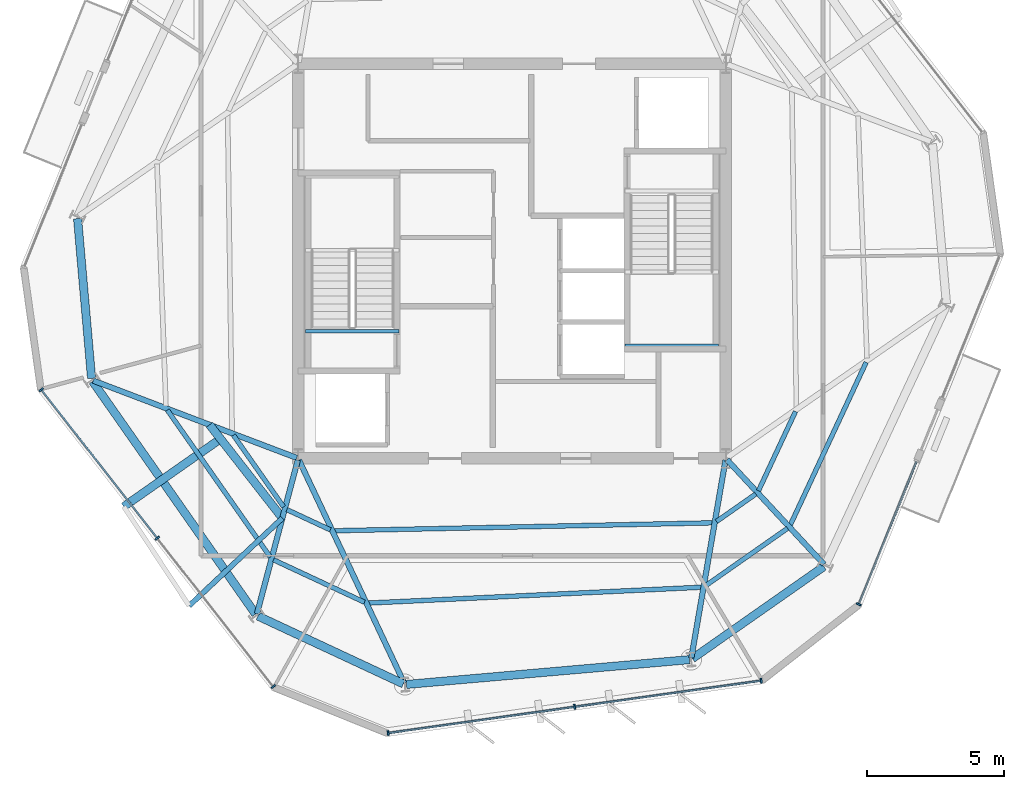
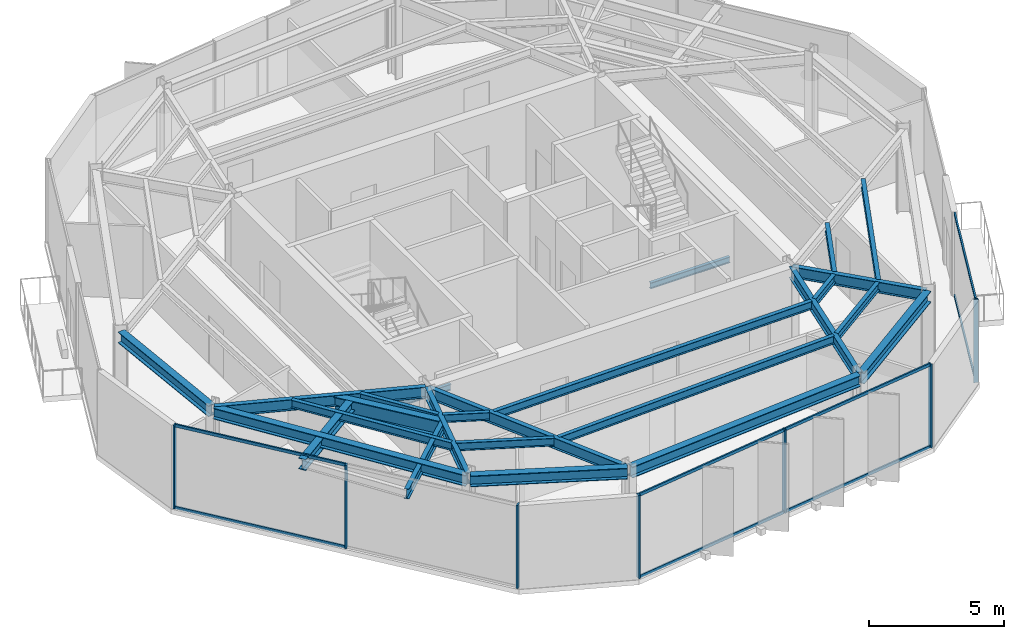
# One storey, part 2 of 11: 25 beams, 15 members, 3 elements without a shape of their own.
"""IFC4 building model written with IfcOpenShell, lengths in metres."""

from ifc_helpers import new_model, si_unit, direction, frame, origin, origin_2d, place, context, subcontext, project, spatial, rectangle, i_section, extrude, material, layer, layer_set, material_profile, profile_set, type_object, element, aggregate, save


model = new_model("IFC4")

# Units and contexts
model_context = context("Model", 3, precision=1e-05, world=origin(), true_north=direction((0.0, 1.0)))
body_context = subcontext(model_context, "Body", "Model", "MODEL_VIEW")
ifc_project = project(units=[si_unit("LENGTHUNIT", "METRE"), si_unit("AREAUNIT", "SQUARE_METRE"), si_unit("VOLUMEUNIT", "CUBIC_METRE"), si_unit("PLANEANGLEUNIT", "RADIAN"), si_unit("MASSUNIT", "GRAM", prefix="KILO")], contexts=[model_context])

# Site, building, storey
site_placement = place(None, origin())
site = spatial("IfcSite", under=ifc_project, at=site_placement, CompositionType="ELEMENT")
building_placement = place(site_placement, origin())
building = spatial("IfcBuilding", under=site, at=building_placement, Name="Kranzbogen Civic Tower", CompositionType="ELEMENT")
storey_placement = place(building_placement, frame((0.0, 0.0, 298.199951171875)))
storey = spatial("IfcBuildingStorey", under=building, at=storey_placement, Name="L72", CompositionType="ELEMENT", Elevation=298.199951171875)

# Beam
ifc_material_1 = material(Name="Steel S355", Category="steel")
ifc_material_profile_1 = material_profile(ifc_material_1, i_section(OverallWidth=0.18994140625, OverallDepth=0.449951171875, WebThickness=0.009521484375, FlangeThickness=0.0146484375, at=origin_2d()), Name="IPE 450")
ifc_profile_set_1 = profile_set([ifc_material_profile_1], Name="Steel S355")
beam_type_1 = type_object("IfcBeamType", Name="Braced Terrace Edge Beam IPE 450", PredefinedType="BEAM", material=ifc_profile_set_1)
beam_1_placement = place(storey_placement, frame((16.6220703125, 15.6240234375, 3.525146484375), z_axis=(-0.728318164334, -0.685239119943, 0.0), x_axis=(0.685239119943, -0.728318164334, 0.0)))
element("IfcBeam", 1, at=beam_1_placement, inside=storey, type_object=beam_type_1, Name="L73 back-spanned terrace beam L73-TB2-2", PredefinedType="BEAM", context=body_context, shape_type="SweptSolid", body=[
    extrude(i_section(OverallWidth=0.18994140625, OverallDepth=0.449951171875, WebThickness=0.009521484375, FlangeThickness=0.0146484375, at=origin_2d()), origin(), (0.0, 0.0, 1.0), 4.669921875),
])

# Curtain wall, members
ifc_material_2 = material(Name="Pale Anodised Aluminium", Category="aluminium")
ifc_layer = layer(ifc_material_2, 0.219970703125, Name="Pale Anodised Aluminium")
ifc_layer_set = layer_set([ifc_layer], Name="Pale Anodised Aluminium")
curtain_wall_type = type_object("IfcCurtainWallType", Name="Zone 4 Stick Curtain Wall System CW-05", PredefinedType="USERDEFINED", material=ifc_layer_set)
curtain_wall_1_placement = place(storey_placement, origin())
curtain_wall_1 = element("IfcCurtainWall", 2, at=curtain_wall_1_placement, inside=storey, type_object=curtain_wall_type, Name="L72 curtain wall CW-L72-F3", ObjectType="STICK CURTAIN WALL", PredefinedType="USERDEFINED")
ifc_material_profile_2 = material_profile(ifc_material_2, rectangle(XDim=0.06494140625, YDim=0.179931640625, at=origin_2d()), Name="ALU-M 65x180")
ifc_profile_set_2 = profile_set([ifc_material_profile_2], Name="Pale Anodised Aluminium")
member_type_1 = type_object("IfcMemberType", Name="Curtain Wall Mullion ALU-M 65x180", PredefinedType="MULLION", material=ifc_profile_set_2)
member_1_placement = place(storey_placement, frame((7.828369140625, 20.306396484375, 0.0), z_axis=(0.0, 0.0, 1.0), x_axis=(0.615679181618, -0.787996919614, 0.0)))
member_1 = element("IfcMember", 3, at=member_1_placement, type_object=member_type_1, Name="CW-05 mullion 1", PredefinedType="MULLION", context=body_context, shape_type="SweptSolid", body=[
    extrude(rectangle(XDim=0.06494140625, YDim=0.179931640625, at=origin_2d()), origin(), (0.0, 0.0, 1.0), 3.780029296875),
])
member_2_placement = place(storey_placement, frame((12.06005859375, 14.890380859375, 0.0), z_axis=(0.0, 0.0, 1.0), x_axis=(0.615679181618, -0.787996919614, 0.0)))
member_2 = element("IfcMember", 4, at=member_2_placement, type_object=member_type_1, Name="CW-05 mullion 2", PredefinedType="MULLION", context=body_context, shape_type="SweptSolid", body=[
    extrude(rectangle(XDim=0.06494140625, YDim=0.179931640625, at=origin_2d()), origin(), (0.0, 0.0, 1.0), 3.780029296875),
])
member_3_placement = place(storey_placement, frame((16.29150390625, 9.474609375, 0.0), z_axis=(0.0, 0.0, 1.0), x_axis=(0.615679181618, -0.787996919614, 0.0)))
member_3 = element("IfcMember", 5, at=member_3_placement, type_object=member_type_1, Name="CW-05 mullion 3", PredefinedType="MULLION", context=body_context, shape_type="SweptSolid", body=[
    extrude(rectangle(XDim=0.06494140625, YDim=0.179931640625, at=origin_2d()), origin(), (0.0, 0.0, 1.0), 3.780029296875),
])

curtain_wall_2_placement = place(storey_placement, origin())
curtain_wall_2 = element("IfcCurtainWall", 6, at=curtain_wall_2_placement, inside=storey, type_object=curtain_wall_type, Name="L72 curtain wall CW-L72-F4", ObjectType="STICK CURTAIN WALL", PredefinedType="USERDEFINED")
member_4_placement = place(storey_placement, frame((20.479736328125, 7.7822265625, 0.0), z_axis=(0.0, 0.0, 1.0), x_axis=(0.990271400303, 0.139149393608, 0.0)))
member_4 = element("IfcMember", 7, at=member_4_placement, type_object=member_type_1, Name="CW-05 mullion 1", PredefinedType="MULLION", context=body_context, shape_type="SweptSolid", body=[
    extrude(rectangle(XDim=0.06494140625, YDim=0.179931640625, at=origin_2d()), origin(), (0.0, 0.0, 1.0), 3.780029296875),
])
member_5_placement = place(storey_placement, frame((27.285400390625, 8.738525390625, 0.0), z_axis=(0.0, 0.0, 1.0), x_axis=(0.990271400303, 0.139149393608, 0.0)))
member_5 = element("IfcMember", 8, at=member_5_placement, type_object=member_type_1, Name="CW-05 mullion 2", PredefinedType="MULLION", context=body_context, shape_type="SweptSolid", body=[
    extrude(rectangle(XDim=0.06494140625, YDim=0.179931640625, at=origin_2d()), origin(), (0.0, 0.0, 1.0), 3.780029296875),
])
member_6_placement = place(storey_placement, frame((34.09130859375, 9.69482421875, 0.0), z_axis=(0.0, 0.0, 1.0), x_axis=(0.990271400303, 0.139149393608, 0.0)))
member_6 = element("IfcMember", 9, at=member_6_placement, type_object=member_type_1, Name="CW-05 mullion 3", PredefinedType="MULLION", context=body_context, shape_type="SweptSolid", body=[
    extrude(rectangle(XDim=0.06494140625, YDim=0.179931640625, at=origin_2d()), origin(), (0.0, 0.0, 1.0), 3.780029296875),
])

# Curtain wall, member
curtain_wall_3_placement = place(storey_placement, origin())
curtain_wall_3 = element("IfcCurtainWall", 10, at=curtain_wall_3_placement, inside=storey, type_object=curtain_wall_type, Name="L72 curtain wall CW-L72-F5-S1", ObjectType="STICK CURTAIN WALL", PredefinedType="USERDEFINED")
member_7_placement = place(storey_placement, frame((37.651123046875, 12.476806640625, 0.0), z_axis=(0.0, 0.0, 1.0), x_axis=(0.374593528978, 0.927189132835, 0.0)))
member_7 = element("IfcMember", 11, at=member_7_placement, type_object=member_type_1, Name="CW-05 mullion 1", PredefinedType="MULLION", context=body_context, shape_type="SweptSolid", body=[
    extrude(rectangle(XDim=0.06494140625, YDim=0.179931640625, at=origin_2d()), origin(), (0.0, 0.0, 1.0), 3.780029296875),
])

# Member
ifc_material_profile_3 = material_profile(ifc_material_2, rectangle(XDim=0.06494140625, YDim=0.135009765625, at=origin_2d()), Name="ALU-T 65x135")
ifc_profile_set_3 = profile_set([ifc_material_profile_3], Name="Pale Anodised Aluminium")
member_type_2 = type_object("IfcMemberType", Name="Curtain Wall Transom ALU-T 65x135", PredefinedType="USERDEFINED", material=ifc_profile_set_3)
member_8_placement = place(storey_placement, frame((7.846923828125, 20.28271484375, 0.030029296875), z_axis=(0.615673248113, -0.788001555556, 0.0), x_axis=(0.788001555556, 0.615673248113, 0.0)))
member_8 = element("IfcMember", 12, at=member_8_placement, type_object=member_type_2, Name="CW-05 transom 1.1", ObjectType="TRANSOM", PredefinedType="USERDEFINED", context=body_context, shape_type="SweptSolid", body=[
    extrude(rectangle(XDim=0.06494140625, YDim=0.135009765625, at=origin_2d()), origin(), (0.0, 0.0, 1.0), 6.81298828125),
])

member_9_placement = place(storey_placement, frame((7.846923828125, 20.28271484375, 3.75), z_axis=(0.615673248113, -0.788001555556, 0.0), x_axis=(0.788001555556, 0.615673248113, 0.0)))
member_9 = element("IfcMember", 13, at=member_9_placement, type_object=member_type_2, Name="CW-05 transom 1.2", ObjectType="TRANSOM", PredefinedType="USERDEFINED", context=body_context, shape_type="SweptSolid", body=[
    extrude(rectangle(XDim=0.06494140625, YDim=0.135009765625, at=origin_2d()), origin(), (0.0, 0.0, 1.0), 6.81298828125),
])

aggregate(curtain_wall_1, [member_1, member_2, member_3, member_8, member_9])

member_10_placement = place(storey_placement, frame((20.509521484375, 7.786376953125, 0.030029296875), z_axis=(0.990270858479, 0.139153249501, 0.0), x_axis=(-0.139153249501, 0.990270858479, 0.0)))
member_10 = element("IfcMember", 14, at=member_10_placement, type_object=member_type_2, Name="CW-05 transom 1.1", ObjectType="TRANSOM", PredefinedType="USERDEFINED", context=body_context, shape_type="SweptSolid", body=[
    extrude(rectangle(XDim=0.06494140625, YDim=0.135009765625, at=origin_2d()), origin(), (0.0, 0.0, 1.0), 6.8125),
])

member_11_placement = place(storey_placement, frame((20.509521484375, 7.786376953125, 3.75), z_axis=(0.990270858479, 0.139153249501, 0.0), x_axis=(-0.139153249501, 0.990270858479, 0.0)))
member_11 = element("IfcMember", 15, at=member_11_placement, type_object=member_type_2, Name="CW-05 transom 1.2", ObjectType="TRANSOM", PredefinedType="USERDEFINED", context=body_context, shape_type="SweptSolid", body=[
    extrude(rectangle(XDim=0.06494140625, YDim=0.135009765625, at=origin_2d()), origin(), (0.0, 0.0, 1.0), 6.8125),
])

member_12_placement = place(storey_placement, frame((27.315185546875, 8.74267578125, 0.030029296875), z_axis=(0.990270858479, 0.139153249501, 0.0), x_axis=(-0.139153249501, 0.990270858479, 0.0)))
member_12 = element("IfcMember", 16, at=member_12_placement, type_object=member_type_2, Name="CW-05 transom 2.1", ObjectType="TRANSOM", PredefinedType="USERDEFINED", context=body_context, shape_type="SweptSolid", body=[
    extrude(rectangle(XDim=0.06494140625, YDim=0.135009765625, at=origin_2d()), origin(), (0.0, 0.0, 1.0), 6.8125),
])

member_13_placement = place(storey_placement, frame((27.315185546875, 8.74267578125, 3.75), z_axis=(0.990270858479, 0.139153249501, 0.0), x_axis=(-0.139153249501, 0.990270858479, 0.0)))
member_13 = element("IfcMember", 17, at=member_13_placement, type_object=member_type_2, Name="CW-05 transom 2.2", ObjectType="TRANSOM", PredefinedType="USERDEFINED", context=body_context, shape_type="SweptSolid", body=[
    extrude(rectangle(XDim=0.06494140625, YDim=0.135009765625, at=origin_2d()), origin(), (0.0, 0.0, 1.0), 6.8125),
])

aggregate(curtain_wall_2, [member_4, member_5, member_6, member_10, member_11, member_12, member_13])

member_14_placement = place(storey_placement, frame((37.66259765625, 12.504638671875, 0.030029296875), z_axis=(0.374555609646, 0.927204451716, 0.0), x_axis=(-0.927204451716, 0.374555609646, 0.0)))
member_14 = element("IfcMember", 18, at=member_14_placement, type_object=member_type_2, Name="CW-05 transom 1.1", ObjectType="TRANSOM", PredefinedType="USERDEFINED", context=body_context, shape_type="SweptSolid", body=[
    extrude(rectangle(XDim=0.06494140625, YDim=0.135009765625, at=origin_2d()), origin(), (0.0, 0.0, 1.0), 5.58203125),
])

member_15_placement = place(storey_placement, frame((37.66259765625, 12.504638671875, 3.75), z_axis=(0.374555609646, 0.927204451716, 0.0), x_axis=(-0.927204451716, 0.374555609646, 0.0)))
member_15 = element("IfcMember", 19, at=member_15_placement, type_object=member_type_2, Name="CW-05 transom 1.2", ObjectType="TRANSOM", PredefinedType="USERDEFINED", context=body_context, shape_type="SweptSolid", body=[
    extrude(rectangle(XDim=0.06494140625, YDim=0.135009765625, at=origin_2d()), origin(), (0.0, 0.0, 1.0), 5.58203125),
])

aggregate(curtain_wall_3, [member_7, member_14, member_15])

# Beams
ifc_material_profile_4 = material_profile(ifc_material_1, i_section(OverallWidth=0.300048828125, OverallDepth=0.5, WebThickness=0.014404296875, FlangeThickness=0.028076171875, at=origin_2d()), Name="HEB 500")
ifc_profile_set_4 = profile_set([ifc_material_profile_4], Name="Steel S355")
beam_type_2 = type_object("IfcBeamType", Name="Perimeter Tube Spandrel Beam HEB 500", PredefinedType="SPANDREL", material=ifc_profile_set_4)
beam_2_placement = place(storey_placement, frame((9.699951171875, 20.612060546875, 3.530029296875), z_axis=(0.573577759301, -0.819151117948, 0.0), x_axis=(0.819151117948, 0.573577759301, 0.0)))
element("IfcBeam", 20, at=beam_2_placement, inside=storey, type_object=beam_type_2, Name="L72 perimeter spandrel beam 01", PredefinedType="SPANDREL", context=body_context, shape_type="SweptSolid", body=[
    extrude(i_section(OverallWidth=0.300048828125, OverallDepth=0.5, WebThickness=0.014404296875, FlangeThickness=0.028076171875, at=origin_2d()), origin(), (0.0, 0.0, 1.0), 10.36328125),
])
beam_3_placement = place(storey_placement, frame((15.73193359375, 12.049072265625, 3.530029296875), z_axis=(0.906289661556, -0.422657129784, 0.0), x_axis=(0.422657129784, 0.906289661556, 0.0)))
element("IfcBeam", 21, at=beam_3_placement, inside=storey, type_object=beam_type_2, Name="L72 perimeter spandrel beam 02", PredefinedType="SPANDREL", context=body_context, shape_type="SweptSolid", body=[
    extrude(i_section(OverallWidth=0.300048828125, OverallDepth=0.5, WebThickness=0.014404296875, FlangeThickness=0.028076171875, at=origin_2d()), origin(), (0.0, 0.0, 1.0), 5.853759765625),
])
beam_4_placement = place(storey_placement, frame((21.15087890625, 9.554931640625, 3.530029296875), z_axis=(0.996186373839, 0.087250837114, 0.0), x_axis=(-0.087250837114, 0.996186373839, 0.0)))
element("IfcBeam", 22, at=beam_4_placement, inside=storey, type_object=beam_type_2, Name="L72 perimeter spandrel beam 03", PredefinedType="SPANDREL", context=body_context, shape_type="SweptSolid", body=[
    extrude(i_section(OverallWidth=0.300048828125, OverallDepth=0.5, WebThickness=0.014404296875, FlangeThickness=0.028076171875, at=origin_2d()), origin(), (0.0, 0.0, 1.0), 10.361572265625),
])
beam_5_placement = place(storey_placement, frame((31.58203125, 10.498046875, 3.530029296875), z_axis=(0.819059436004, 0.57370867197, 0.0), x_axis=(-0.57370867197, 0.819059436004, 0.0)))
element("IfcBeam", 23, at=beam_5_placement, inside=storey, type_object=beam_type_2, Name="L72 perimeter spandrel beam 04", PredefinedType="SPANDREL", context=body_context, shape_type="SweptSolid", body=[
    extrude(i_section(OverallWidth=0.300048828125, OverallDepth=0.5, WebThickness=0.014404296875, FlangeThickness=0.028076171875, at=origin_2d()), origin(), (0.0, 0.0, 1.0), 5.85302734375),
])
beam_6_placement = place(storey_placement, frame((9.14990234375, 26.550048828125, 3.530029296875), z_axis=(0.087326362434, -0.99617975608, 0.0), x_axis=(0.99617975608, 0.087326362434, 0.0)))
element("IfcBeam", 24, at=beam_6_placement, inside=storey, type_object=beam_type_2, Name="L72 perimeter spandrel beam 12", PredefinedType="SPANDREL", context=body_context, shape_type="SweptSolid", body=[
    extrude(i_section(OverallWidth=0.300048828125, OverallDepth=0.5, WebThickness=0.014404296875, FlangeThickness=0.028076171875, at=origin_2d()), origin(), (0.0, 0.0, 1.0), 5.8515625),
])
beam_7_placement = place(storey_placement, frame((14.365966796875, 18.51611328125, 3.5), z_axis=(-0.819181359666, -0.573534567377, 0.0), x_axis=(0.573534567377, -0.819181359666, 0.0)))
element("IfcBeam", 25, at=beam_7_placement, inside=storey, type_object=beam_type_2, Name="L73 back-spanned terrace beam L73-TB2-1", PredefinedType="SPANDREL", context=body_context, shape_type="SweptSolid", body=[
    extrude(i_section(OverallWidth=0.300048828125, OverallDepth=0.5, WebThickness=0.014404296875, FlangeThickness=0.028076171875, at=origin_2d()), origin(), (0.0, 0.0, 1.0), 4.310302734375),
])
ifc_material_profile_5 = material_profile(ifc_material_1, i_section(OverallWidth=0.300048828125, OverallDepth=0.699951171875, WebThickness=0.01708984375, FlangeThickness=0.031982421875, at=origin_2d()), Name="HEB 700")
ifc_profile_set_5 = profile_set([ifc_material_profile_5], Name="Steel S355")
beam_type_3 = type_object("IfcBeamType", Name="Perimeter Tube Spandrel Beam HEB 700", PredefinedType="SPANDREL", material=ifc_profile_set_5)
beam_8_placement = place(storey_placement, frame((13.966064453125, 19.028076171875, 3.400146484375), z_axis=(0.615153431403, -0.788407417414, 0.0), x_axis=(0.788407417414, 0.615153431403, 0.0)))
element("IfcBeam", 26, at=beam_8_placement, inside=storey, type_object=beam_type_3, Name="L73 balcony back-span header girder L73-TB2", PredefinedType="SPANDREL", context=body_context, shape_type="SweptSolid", body=[
    extrude(i_section(OverallWidth=0.300048828125, OverallDepth=0.699951171875, WebThickness=0.01708984375, FlangeThickness=0.031982421875, at=origin_2d()), origin(), (0.0, 0.0, 1.0), 4.317626953125),
])
ifc_material_profile_6 = material_profile(ifc_material_1, i_section(OverallWidth=0.199951171875, OverallDepth=0.5, WebThickness=0.01025390625, FlangeThickness=0.01611328125, at=origin_2d()), Name="IPE 500")
ifc_profile_set_6 = profile_set([ifc_material_profile_6], Name="Steel S355")
beam_type_4 = type_object("IfcBeamType", Name="Radial Tower Floor Girder IPE 500", PredefinedType="BEAM", material=ifc_profile_set_6)
beam_9_placement = place(storey_placement, frame((9.721923828125, 20.639892578125, 3.530029296875), z_axis=(0.934848709689, -0.355046320913, 0.0), x_axis=(0.355046320913, 0.934848709689, 0.0)))
element("IfcBeam", 27, at=beam_9_placement, inside=storey, type_object=beam_type_4, Name="L72 radial floor girder 01", PredefinedType="BEAM", context=body_context, shape_type="SweptSolid", body=[
    extrude(i_section(OverallWidth=0.199951171875, OverallDepth=0.5, WebThickness=0.01025390625, FlangeThickness=0.01611328125, at=origin_2d()), origin(), (0.0, 0.0, 1.0), 7.939453125),
])
beam_10_placement = place(storey_placement, frame((15.693115234375, 12.132080078125, 3.530029296875), z_axis=(0.257016017622, 0.966407143333, 0.0), x_axis=(-0.966407143333, 0.257016017622, 0.0)))
element("IfcBeam", 28, at=beam_10_placement, inside=storey, type_object=beam_type_4, Name="L72 radial floor girder 02", PredefinedType="BEAM", context=body_context, shape_type="SweptSolid", body=[
    extrude(i_section(OverallWidth=0.199951171875, OverallDepth=0.5, WebThickness=0.01025390625, FlangeThickness=0.01611328125, at=origin_2d()), origin(), (0.0, 0.0, 1.0), 5.804931640625),
])
beam_11_placement = place(storey_placement, frame((21.06494140625, 9.60400390625, 3.530029296875), z_axis=(-0.426460441273, 0.904506214478, 0.0), x_axis=(-0.904506214478, -0.426460441273, 0.0)))
element("IfcBeam", 29, at=beam_11_placement, inside=storey, type_object=beam_type_4, Name="L72 radial floor girder 03", PredefinedType="BEAM", context=body_context, shape_type="SweptSolid", body=[
    extrude(i_section(OverallWidth=0.199951171875, OverallDepth=0.5, WebThickness=0.01025390625, FlangeThickness=0.01611328125, at=origin_2d()), origin(), (0.0, 0.0, 1.0), 9.001708984375),
])
beam_12_placement = place(storey_placement, frame((31.54296875, 10.52294921875, 3.530029296875), z_axis=(0.170249558486, 0.985400978199, 0.0), x_axis=(-0.985400978199, 0.170249558486, 0.0)))
element("IfcBeam", 30, at=beam_12_placement, inside=storey, type_object=beam_type_4, Name="L72 radial floor girder 04", PredefinedType="BEAM", context=body_context, shape_type="SweptSolid", body=[
    extrude(i_section(OverallWidth=0.199951171875, OverallDepth=0.5, WebThickness=0.01025390625, FlangeThickness=0.01611328125, at=origin_2d()), origin(), (0.0, 0.0, 1.0), 7.324951171875),
])
beam_13_placement = place(storey_placement, frame((36.384033203125, 13.93408203125, 3.530029296875), z_axis=(-0.679827353702, 0.733372190064, 0.0), x_axis=(-0.733372190064, -0.679827353702, 0.0)))
element("IfcBeam", 31, at=beam_13_placement, inside=storey, type_object=beam_type_4, Name="L72 radial floor girder 05", PredefinedType="BEAM", context=body_context, shape_type="SweptSolid", body=[
    extrude(i_section(OverallWidth=0.199951171875, OverallDepth=0.5, WebThickness=0.01025390625, FlangeThickness=0.01611328125, at=origin_2d()), origin(), (0.0, 0.0, 1.0), 5.211669921875),
])
ifc_material_profile_7 = material_profile(ifc_material_1, i_section(OverallWidth=0.169921875, OverallDepth=0.360107421875, WebThickness=0.008056640625, FlangeThickness=0.0126953125, at=origin_2d()), Name="IPE 360")
ifc_profile_set_7 = profile_set([ifc_material_profile_7], Name="Steel S355")
beam_type_5 = type_object("IfcBeamType", Name="Secondary Composite Floor Joist IPE 360", PredefinedType="JOIST", material=ifc_profile_set_7)
beam_14_placement = place(storey_placement, frame((12.424072265625, 19.56591796875, 3.60009765625), z_axis=(0.573499872939, -0.819205649235, 0.0), x_axis=(0.819205649235, 0.573499872939, 0.0)))
element("IfcBeam", 32, at=beam_14_placement, inside=storey, type_object=beam_type_5, Name="L72 secondary floor joist 1.01", PredefinedType="JOIST", context=body_context, shape_type="SweptSolid", body=[
    extrude(i_section(OverallWidth=0.169921875, OverallDepth=0.360107421875, WebThickness=0.008056640625, FlangeThickness=0.0126953125, at=origin_2d()), origin(), (0.0, 0.0, 1.0), 6.549072265625),
])
beam_15_placement = place(storey_placement, frame((14.8349609375, 18.64990234375, 3.60009765625), z_axis=(0.573498248491, -0.819206786457, 0.0), x_axis=(0.819206786457, 0.573498248491, 0.0)))
element("IfcBeam", 33, at=beam_15_placement, inside=storey, type_object=beam_type_5, Name="L72 secondary floor joist 2.01", PredefinedType="JOIST", context=body_context, shape_type="SweptSolid", body=[
    extrude(i_section(OverallWidth=0.169921875, OverallDepth=0.360107421875, WebThickness=0.008056640625, FlangeThickness=0.0126953125, at=origin_2d()), origin(), (0.0, 0.0, 1.0), 3.194580078125),
])
beam_16_placement = place(storey_placement, frame((16.298095703125, 14.10205078125, 3.60009765625), z_axis=(0.906303996948, -0.422626389517, 0.0), x_axis=(0.422626389517, 0.906303996948, 0.0)))
element("IfcBeam", 34, at=beam_16_placement, inside=storey, type_object=beam_type_5, Name="L72 secondary floor joist 1.02", PredefinedType="JOIST", context=body_context, shape_type="SweptSolid", body=[
    extrude(i_section(OverallWidth=0.169921875, OverallDepth=0.360107421875, WebThickness=0.008056640625, FlangeThickness=0.0126953125, at=origin_2d()), origin(), (0.0, 0.0, 1.0), 3.6630859375),
])
beam_17_placement = place(storey_placement, frame((16.784912109375, 15.93408203125, 3.60009765625), z_axis=(0.906432174342, -0.422351409751, 0.0), x_axis=(0.422351409751, 0.906432174342, 0.0)))
element("IfcBeam", 35, at=beam_17_placement, inside=storey, type_object=beam_type_5, Name="L72 secondary floor joist 2.02", PredefinedType="JOIST", context=body_context, shape_type="SweptSolid", body=[
    extrude(i_section(OverallWidth=0.169921875, OverallDepth=0.360107421875, WebThickness=0.008056640625, FlangeThickness=0.0126953125, at=origin_2d()), origin(), (0.0, 0.0, 1.0), 1.751953125),
])
beam_18_placement = place(storey_placement, frame((19.77001953125, 12.52392578125, 3.60009765625), z_axis=(0.998871634781, 0.047491654324, 0.0), x_axis=(-0.047491654324, 0.998871634781, 0.0)))
element("IfcBeam", 36, at=beam_18_placement, inside=storey, type_object=beam_type_5, Name="L72 secondary floor joist 1.03", PredefinedType="JOIST", context=body_context, shape_type="SweptSolid", body=[
    extrude(i_section(OverallWidth=0.169921875, OverallDepth=0.360107421875, WebThickness=0.008056640625, FlangeThickness=0.0126953125, at=origin_2d()), origin(), (0.0, 0.0, 1.0), 12.152587890625),
])
beam_19_placement = place(storey_placement, frame((18.52490234375, 15.162109375, 3.60009765625), z_axis=(0.999780746893, 0.020939392104, 0.0), x_axis=(-0.020939392104, 0.999780746893, 0.0)))
element("IfcBeam", 37, at=beam_19_placement, inside=storey, type_object=beam_type_5, Name="L72 secondary floor joist 2.03", PredefinedType="JOIST", context=body_context, shape_type="SweptSolid", body=[
    extrude(i_section(OverallWidth=0.169921875, OverallDepth=0.360107421875, WebThickness=0.008056640625, FlangeThickness=0.0126953125, at=origin_2d()), origin(), (0.0, 0.0, 1.0), 13.79296875),
])
beam_20_placement = place(storey_placement, frame((32.054931640625, 13.15087890625, 3.60009765625), z_axis=(0.819006333711, 0.573784476385, 0.0), x_axis=(-0.573784476385, 0.819006333711, 0.0)))
element("IfcBeam", 38, at=beam_20_placement, inside=storey, type_object=beam_type_5, Name="L72 secondary floor joist 1.04", PredefinedType="JOIST", context=body_context, shape_type="SweptSolid", body=[
    extrude(i_section(OverallWidth=0.169921875, OverallDepth=0.360107421875, WebThickness=0.008056640625, FlangeThickness=0.0126953125, at=origin_2d()), origin(), (0.0, 0.0, 1.0), 3.661865234375),
])
beam_21_placement = place(storey_placement, frame((32.4599609375, 15.498046875, 3.60009765625), z_axis=(0.818956727849, 0.573855276103, 0.0), x_axis=(-0.573855276103, 0.818956727849, 0.0)))
element("IfcBeam", 39, at=beam_21_placement, inside=storey, type_object=beam_type_5, Name="L72 secondary floor joist 2.04", PredefinedType="JOIST", context=body_context, shape_type="SweptSolid", body=[
    extrude(i_section(OverallWidth=0.169921875, OverallDepth=0.360107421875, WebThickness=0.008056640625, FlangeThickness=0.0126953125, at=origin_2d()), origin(), (0.0, 0.0, 1.0), 1.751220703125),
])
beam_22_placement = place(storey_placement, frame((35.154052734375, 15.3701171875, 3.60009765625), z_axis=(0.422542528713, 0.906343098075, 0.0), x_axis=(-0.906343098075, 0.422542528713, 0.0)))
element("IfcBeam", 40, at=beam_22_placement, inside=storey, type_object=beam_type_5, Name="L72 secondary floor joist 1.05", PredefinedType="JOIST", context=body_context, shape_type="SweptSolid", body=[
    extrude(i_section(OverallWidth=0.169921875, OverallDepth=0.360107421875, WebThickness=0.008056640625, FlangeThickness=0.0126953125, at=origin_2d()), origin(), (0.0, 0.0, 1.0), 6.548095703125),
])
beam_23_placement = place(storey_placement, frame((33.993896484375, 16.62109375, 3.60009765625), z_axis=(0.422651143991, 0.906292453065, 0.0), x_axis=(-0.906292453065, 0.422651143991, 0.0)))
element("IfcBeam", 41, at=beam_23_placement, inside=storey, type_object=beam_type_5, Name="L72 secondary floor joist 2.05", PredefinedType="JOIST", context=body_context, shape_type="SweptSolid", body=[
    extrude(i_section(OverallWidth=0.169921875, OverallDepth=0.360107421875, WebThickness=0.008056640625, FlangeThickness=0.0126953125, at=origin_2d()), origin(), (0.0, 0.0, 1.0), 3.1943359375),
])
ifc_material_profile_8 = material_profile(ifc_material_1, i_section(OverallWidth=0.135009765625, OverallDepth=0.27001953125, WebThickness=0.006591796875, FlangeThickness=0.01025390625, at=origin_2d()), Name="IPE 270")
ifc_profile_set_8 = profile_set([ifc_material_profile_8], Name="Steel S355")
beam_type_6 = type_object("IfcBeamType", Name="Stair Landing Support Beam IPE 270", PredefinedType="JOIST", material=ifc_profile_set_8)
for number, where, z_axis, x_axis, name in (
    (42, (20.8798828125, 22.43994140625, -0.35498046875), (-1.0, 0.0, 0.0), (0.0, -1.0, 0.0), "L72 ST-T1 stair floor header beam"),
    (43, (29.1201171875, 21.89990234375, 1.6650390625), (1.0, 0.0, 0.0), (0.0, 1.0, 0.0), "L72 ST-T2 landing support beam 1.2"),
):
    element("IfcBeam", number, at=place(storey_placement, frame(where, z_axis=z_axis, x_axis=x_axis)), inside=storey, type_object=beam_type_6, Name=name, PredefinedType="JOIST", context=body_context, shape_type="SweptSolid", body=[
        extrude(i_section(OverallWidth=0.135009765625, OverallDepth=0.27001953125, WebThickness=0.006591796875, FlangeThickness=0.01025390625, at=origin_2d()), origin(), (0.0, 0.0, 1.0), 3.409912109375),
    ])

save(model, "model.ifc")
